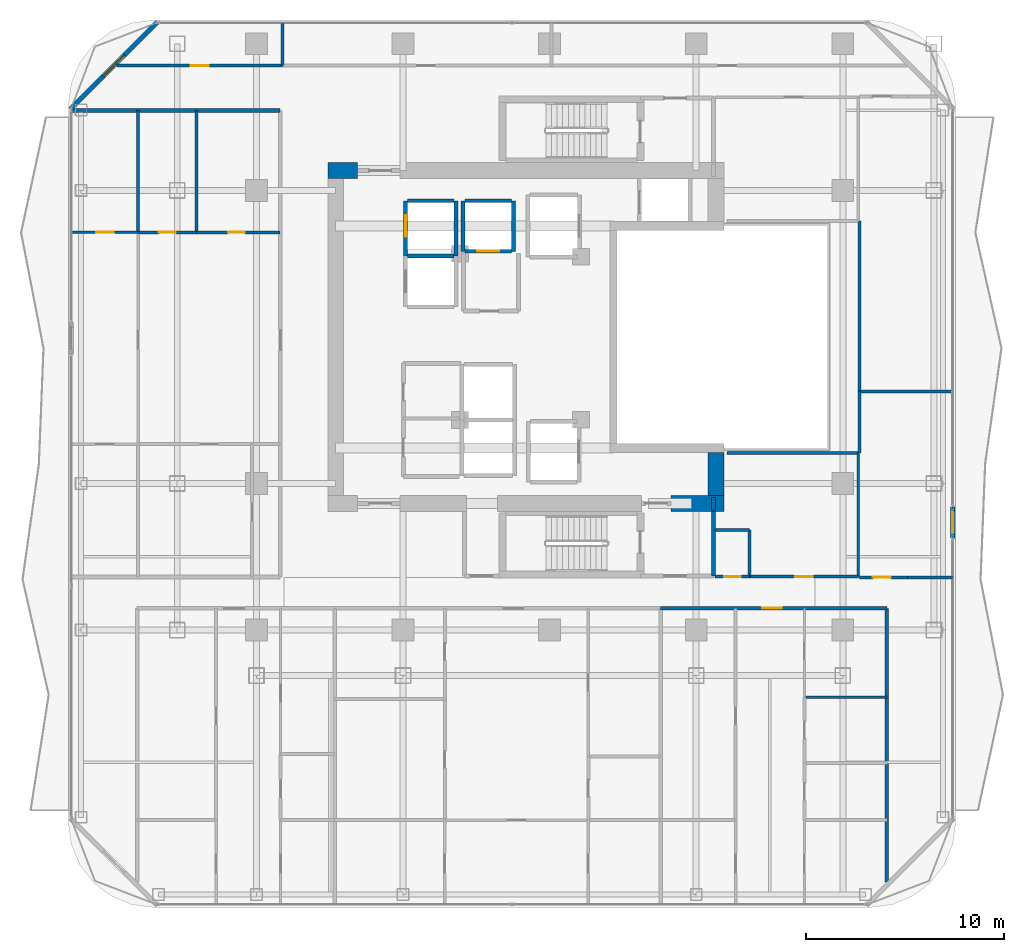
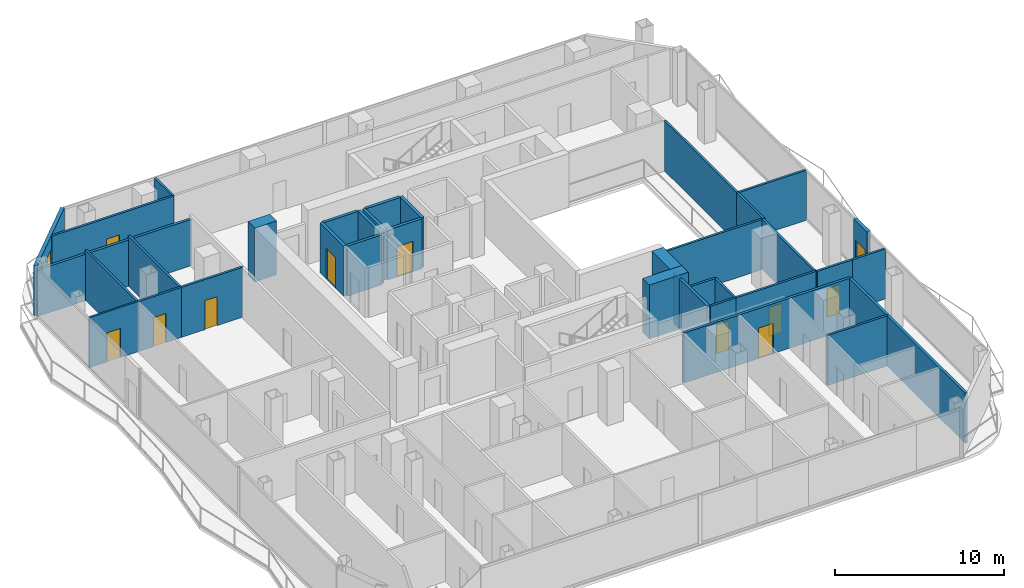
# One storey, part 19 of 23: 37 walls, 11 doors, 1 window, 12 openings.
"""IFC4 building model written with IfcOpenShell, lengths in metres."""

import ifcopenshell
import ifcopenshell.guid

model = None  # the IFC model being written
_history = None  # IfcOwnerHistory: only IFC2X3 demands one
_inside = {}  # id of a spatial element -> (the spatial element, [elements in it])
_under = {}  # id of a project, library or spatial element -> (it, [spatial elements below it])
_declared = {}  # id of a project -> (the project, [libraries it declares])
_typed = {}  # id of a type object -> (the type object, [elements of that type])
_made_of = {}  # id of a material, layer set ... -> (it, [elements and type objects made of it])


def new_model(schema):
    """Start an empty IFC model of exactly this schema.

    Asked for "IFC4X3", IfcOpenShell would pick the latest addendum, in which some entities
    have other attributes; the version numbers below select the first issue.
    IFC2X3 requires an IfcOwnerHistory on every rooted entity: one is made here for all.
    """
    global model, _history
    if schema == "IFC4X3":
        model = ifcopenshell.file(schema_version=(4, 3, 0, 0))
    else:
        model = ifcopenshell.file(schema=schema)
    _inside.clear()
    _under.clear()
    _declared.clear()
    _typed.clear()
    _made_of.clear()
    _history = None
    if model.schema == "IFC2X3":
        org = make("IfcOrganization", Name="unknown")
        user = make(
            "IfcPersonAndOrganization",
            ThePerson=make("IfcPerson", FamilyName="unknown"),
            TheOrganization=org,
        )
        app = make(
            "IfcApplication",
            ApplicationDeveloper=org,
            Version="unknown",
            ApplicationFullName="unknown",
            ApplicationIdentifier="unknown",
        )
        _history = make(
            "IfcOwnerHistory",
            OwningUser=user,
            OwningApplication=app,
            ChangeAction="ADDED",
            CreationDate=0,
        )
    return model


def make(cls, **values):
    """One entity of the class cls with the attributes given. An attribute that is None is left unset."""
    return model.create_entity(
        cls, **{name: value for name, value in values.items() if value is not None}
    )


def rooted(cls, **values):
    """An entity with a GlobalId (a new one), such as an element, a storey or a relation."""
    return make(cls, GlobalId=ifcopenshell.guid.new(), OwnerHistory=_history, **values)


def si_unit(unit_type, name, prefix=None):
    """IfcSIUnit, for example si_unit("LENGTHUNIT", "METRE", prefix="MILLI")."""
    return make("IfcSIUnit", UnitType=unit_type, Prefix=prefix, Name=name)


def assignment(units):
    """IfcUnitAssignment: the units of a project."""
    return None if units is None else make("IfcUnitAssignment", Units=units)


def point(xyz):
    """IfcCartesianPoint."""
    return None if xyz is None else make("IfcCartesianPoint", Coordinates=xyz)


def direction(xyz):
    """IfcDirection."""
    return None if xyz is None else make("IfcDirection", DirectionRatios=xyz)


def frame(location, z_axis=None, x_axis=None):
    """IfcAxis2Placement3D, a coordinate frame: its origin and axes. An axis left out is left unset."""
    return make(
        "IfcAxis2Placement3D",
        Location=point(location),
        Axis=direction(z_axis),
        RefDirection=direction(x_axis),
    )


def frame_2d(location, x_axis=None):
    """IfcAxis2Placement2D, a coordinate frame in the plane: its origin and x axis."""
    return make(
        "IfcAxis2Placement2D", Location=point(location), RefDirection=direction(x_axis)
    )


def origin():
    """The frame at (0, 0, 0) with its axes left unset."""
    return frame((0.0, 0.0, 0.0))


def place(relative_to, where):
    """IfcLocalPlacement: puts the frame where relative to a parent placement (None: the world)."""
    return make(
        "IfcLocalPlacement", PlacementRelTo=relative_to, RelativePlacement=where
    )


def context(
    kind, dimensions, precision=None, world=None, true_north=None, identifier=None
):
    """IfcGeometricRepresentationContext, for example the 3D "Model" context."""
    return make(
        "IfcGeometricRepresentationContext",
        ContextIdentifier=identifier,
        ContextType=kind,
        CoordinateSpaceDimension=dimensions,
        Precision=precision,
        WorldCoordinateSystem=world,
        TrueNorth=true_north,
    )


def subcontext(parent, identifier, kind, view, scale=None):
    """IfcGeometricRepresentationSubContext, for example "Body" below "Model"."""
    return make(
        "IfcGeometricRepresentationSubContext",
        ContextIdentifier=identifier,
        ContextType=kind,
        ParentContext=parent,
        TargetScale=scale,
        TargetView=view,
    )


def project(units=None, contexts=None):
    """IfcProject with its units and contexts."""
    return rooted(
        "IfcProject",
        Name="project",
        RepresentationContexts=contexts,
        UnitsInContext=assignment(units),
    )


def spatial(cls, under=None, at=None, **own):
    """A site, building, storey or space (cls), placed at a placement, below another one or the project."""
    s = rooted(cls, ObjectPlacement=at, **own)
    if under is not None:
        _under.setdefault(under.id(), (under, []))[1].append(s)
    return s


def profile(cls, at=None, kind="AREA", **sizes):
    """A parametric profile (cls). Its sizes go by their IFC names, for example OverallWidth=200.0."""
    return make(cls, ProfileType=kind, Position=at, **sizes)


def rectangle(**sizes):
    """IfcRectangleProfileDef."""
    return profile("IfcRectangleProfileDef", **sizes)


def extrude(swept, where, along, depth):
    """IfcExtrudedAreaSolid: the profile swept, set in the frame where, extruded along a direction by depth."""
    return make(
        "IfcExtrudedAreaSolid",
        SweptArea=swept,
        Position=where,
        ExtrudedDirection=direction(along),
        Depth=depth,
    )


def shape(context_of_items, identifier, shape_type, items):
    """IfcShapeRepresentation: the items that make up one representation, for example the "Body"."""
    return make(
        "IfcShapeRepresentation",
        ContextOfItems=context_of_items,
        RepresentationIdentifier=identifier,
        RepresentationType=shape_type,
        Items=items,
    )


def material(Name=None, Category=None):
    """IfcMaterial."""
    return make("IfcMaterial", Name=Name, Category=Category)


def layer(
    of_material, thickness, ventilated=None, Name=None, Category=None, Priority=None
):
    """IfcMaterialLayer: one layer of a wall or slab, of a material (None: an air gap)."""
    return make(
        "IfcMaterialLayer",
        Material=of_material,
        LayerThickness=thickness,
        IsVentilated=ventilated,
        Name=Name,
        Category=Category,
        Priority=Priority,
    )


def layer_set(layers, Name=None):
    """IfcMaterialLayerSet."""
    return make("IfcMaterialLayerSet", MaterialLayers=layers, LayerSetName=Name)


def made_of(thing, what):
    """Note that an element or type object is made of a material, layer set ...; save() writes the relation."""
    if what is not None:
        _made_of.setdefault(what.id(), (what, []))[1].append(thing)
    return thing


def type_object(cls, material=None, **own):
    """A type object (cls), such as IfcWallType, which elements share."""
    return made_of(rooted(cls, **own), material)


def element(
    cls,
    number,
    at=None,
    inside=None,
    cuts=None,
    type_object=None,
    material=None,
    context=None,
    identifier="Body",
    shape_type=None,
    held_by="IfcProductDefinitionShape",
    body=None,
    shapes=None,
    **own,
):
    """One element of the class cls, such as IfcWall. Its Tag is "e" and its number.

    at: its placement. inside: the storey or other place that contains it. cuts: it is an
    opening in that element (IfcRelVoidsElement). A single representation is given by context,
    identifier, shape_type and body (its items); several are given by shapes. held_by: the class
    of the entity that holds the representations. save() writes the other relations.
    """
    e = rooted(cls, Tag="e%d" % number, ObjectPlacement=at, **own)
    if body is not None:
        shapes = [shape(context, identifier, shape_type, body)]
    if shapes is not None:
        e.Representation = make(held_by, Representations=shapes)
    if inside is not None:
        _inside.setdefault(inside.id(), (inside, []))[1].append(e)
    if cuts is not None:
        rooted(
            "IfcRelVoidsElement", RelatingBuildingElement=cuts, RelatedOpeningElement=e
        )
    if type_object is not None:
        _typed.setdefault(type_object.id(), (type_object, []))[1].append(e)
    return made_of(e, material)


def fill(opening, filler):
    """IfcRelFillsElement: the door or window that sits in an opening."""
    return rooted(
        "IfcRelFillsElement",
        RelatingOpeningElement=opening,
        RelatedBuildingElement=filler,
    )


def aggregate(whole, parts):
    """IfcRelAggregates: a whole, such as a stair, and the parts it consists of."""
    return rooted("IfcRelAggregates", RelatingObject=whole, RelatedObjects=parts)


def save(model, path):
    """Write the relations noted so far, then the file.

    IfcRelAggregates (storeys below a building ...), IfcRelContainedInSpatialStructure (elements
    in a storey), IfcRelDefinesByType, IfcRelAssociatesMaterial and IfcRelDeclares: one each for
    every whole, place, type object, material and project.
    """
    for whole, parts in _under.values():
        aggregate(whole, parts)
    for where, things in _inside.values():
        rooted(
            "IfcRelContainedInSpatialStructure",
            RelatedElements=things,
            RelatingStructure=where,
        )
    for kind, things in _typed.values():
        rooted("IfcRelDefinesByType", RelatedObjects=things, RelatingType=kind)
    for what, things in _made_of.values():
        rooted("IfcRelAssociatesMaterial", RelatedObjects=things, RelatingMaterial=what)
    for by, libraries in _declared.values():
        rooted("IfcRelDeclares", RelatingContext=by, RelatedDefinitions=libraries)
    model.write(path)


model = new_model("IFC4")

# Units and contexts
model_context = context("Model", 3, precision=1e-05, world=origin(), true_north=direction((0.0, 1.0)))
body_context = subcontext(model_context, "Body", "Model", "MODEL_VIEW")
ifc_project = project(units=[si_unit("LENGTHUNIT", "METRE"), si_unit("AREAUNIT", "SQUARE_METRE"), si_unit("VOLUMEUNIT", "CUBIC_METRE"), si_unit("PLANEANGLEUNIT", "RADIAN"), si_unit("MASSUNIT", "GRAM", prefix="KILO")], contexts=[model_context])

# Site, building, storey
site_placement = place(None, origin())
site = spatial("IfcSite", under=ifc_project, at=site_placement, CompositionType="ELEMENT")
building_placement = place(site_placement, origin())
building = spatial("IfcBuilding", under=site, at=building_placement, Name="Khorvyn Point Tower", CompositionType="ELEMENT")
storey_placement = place(building_placement, frame((0.0, 0.0, 207.0)))
storey = spatial("IfcBuildingStorey", under=building, at=storey_placement, Name="L51", CompositionType="ELEMENT", Elevation=207.0)

# Wall, opening, door
ifc_material_1 = material(Name="Double acoustic gypsum on twin steel stud", Category="steel")
ifc_layer_1 = layer(ifc_material_1, 0.179931640625)
ifc_layer_set_1 = layer_set([ifc_layer_1], Name="Acoustic Double-Stud Apartment Demising Wall 180")
wall_type_1 = type_object("IfcWallType", Name="Acoustic Double-Stud Apartment Demising Wall 180", PredefinedType="PARTITIONING", material=ifc_layer_set_1)
wall_1_placement = place(storey_placement, frame((5.59912109375, -13.699951171875, 0.0), z_axis=(0.0, 0.0, 1.0), x_axis=(1.0, 0.0, 0.0)))
wall_1 = element("IfcWall", 1, at=wall_1_placement, inside=storey, type_object=wall_type_1, Name="Wall", PredefinedType="PARTITIONING", context=body_context, shape_type="SweptSolid", body=[
    extrude(rectangle(XDim=11.4208984375, YDim=0.179931640625, at=frame_2d((5.71044921875, 0.0))), origin(), (0.0, 0.0, 1.0), 3.6201171875),
])
opening_1_placement = place(wall_1_placement, frame((5.121826171875, 0.0, 0.0)))
opening_1 = element("IfcOpeningElement", 2, at=opening_1_placement, cuts=wall_1, Name="Opening ID-AP60", PredefinedType="OPENING", context=body_context, shape_type="SweptSolid", body=[
    extrude(rectangle(XDim=1.0, YDim=2.199951171875, at=frame_2d((0.5, 1.10009765625))), frame((0.0, 0.099853515625, 0.0), z_axis=(0.0, -1.0, 0.0), x_axis=(1.0, 0.0, 0.0)), (0.0, 0.0, 1.0), 0.199951171875),
])
ifc_material_2 = material(Name="Engineered hardwood fire-rated leaf", Category="wood")
door_type_1 = type_object("IfcDoorType", Name="Acoustic Solid-Core Timber Apartment Entrance Door 1000x2200", OperationType="NOTDEFINED", PredefinedType="DOOR", material=ifc_material_2)
door_1_placement = place(opening_1_placement, origin())
door_1 = element("IfcDoor", 3, at=door_1_placement, inside=storey, type_object=door_type_1, Name="Door", OperationType="SINGLE_SWING_RIGHT", OverallHeight=2.199951171875, OverallWidth=1.0, PredefinedType="DOOR", context=body_context, shape_type="SweptSolid", body=[
    extrude(rectangle(XDim=1.0, YDim=2.199951171875, at=frame_2d((0.5, 1.10009765625))), frame((0.0, 0.02490234375, 0.0), z_axis=(0.0, -1.0, 0.0), x_axis=(1.0, 0.0, 0.0)), (0.0, 0.0, 1.0), 0.050048828125),
])
fill(opening_1, door_1)

# Walls
wall_2_placement = place(storey_placement, frame((17.02001953125, -27.510009765625, 0.0), z_axis=(0.0, 0.0, 1.0), x_axis=(0.0, 1.0, 0.0)))
element("IfcWall", 4, at=wall_2_placement, inside=storey, type_object=wall_type_1, Name="Wall", PredefinedType="PARTITIONING", context=body_context, shape_type="SweptSolid", body=[
    extrude(rectangle(XDim=13.81005859375, YDim=0.179931640625, at=frame_2d((6.905029296875, 0.0))), origin(), (0.0, 0.0, 1.0), 3.6201171875),
])
wall_3_placement = place(storey_placement, frame((-24.1298828125, 11.429931640625, 0.0), z_axis=(0.0, 0.0, 1.0), x_axis=(1.0, 0.0, 0.0)))
element("IfcWall", 5, at=wall_3_placement, inside=storey, type_object=wall_type_1, Name="Wall", PredefinedType="PARTITIONING", context=body_context, shape_type="SweptSolid", body=[
    extrude(rectangle(XDim=10.52978515625, YDim=0.179931640625, at=frame_2d((5.264892578125, 0.0))), origin(), (0.0, 0.0, 1.0), 3.360107421875),
])

# Wall, opening, door
ifc_material_3 = material(Name="Pale anodised aluminium rainscreen on steel stud", Category="steel")
ifc_layer_2 = layer(ifc_material_3, 0.239990234375)
ifc_layer_set_2 = layer_set([ifc_layer_2], Name="Anodised Aluminium Insulated Corner Spandrel Wall 240")
wall_type_2 = type_object("IfcWallType", Name="Anodised Aluminium Insulated Corner Spandrel Wall 240", PredefinedType="SOLIDWALL", material=ifc_layer_set_2)
wall_4_placement = place(storey_placement, frame((20.35009765625, -8.576904296875, 0.0), z_axis=(0.0, 0.0, 1.0), x_axis=(0.0, -1.0, 0.0)))
wall_4 = element("IfcWall", 6, at=wall_4_placement, inside=storey, type_object=wall_type_2, Name="L51 East Outdoor Threshold Wall", PredefinedType="SOLIDWALL", context=body_context, shape_type="SweptSolid", body=[
    extrude(rectangle(XDim=1.580078125, YDim=0.239990234375, at=frame_2d((0.7900390625, 0.0))), origin(), (0.0, 0.0, 1.0), 3.6201171875),
])
opening_2_placement = place(wall_4_placement, frame((0.239990234375, 0.0, 0.0)))
opening_2 = element("IfcOpeningElement", 7, at=opening_2_placement, cuts=wall_4, Name="Opening BD-1122", PredefinedType="OPENING", context=body_context, shape_type="SweptSolid", body=[
    extrude(rectangle(XDim=1.10009765625, YDim=2.199951171875, at=frame_2d((0.550048828125, 1.10009765625))), frame((0.0, 0.1298828125, 0.0), z_axis=(0.0, -1.0, 0.0), x_axis=(1.0, 0.0, 0.0)), (0.0, 0.0, 1.0), 0.260009765625),
])
ifc_material_4 = material(Name="Anodised aluminium 6063-T6 and laminated Low-E glass", Category="aluminium")
door_type_2 = type_object("IfcDoorType", Name="Glazed Balcony and Terrace Threshold Door 1100x2200", OperationType="NOTDEFINED", PredefinedType="DOOR", material=ifc_material_4)
door_2_placement = place(opening_2_placement, origin())
door_2 = element("IfcDoor", 8, at=door_2_placement, inside=storey, type_object=door_type_2, Name="L51 East Glazed Balcony Outdoor Door", OperationType="SINGLE_SWING_LEFT", OverallHeight=2.199951171875, OverallWidth=1.10009765625, PredefinedType="DOOR", context=body_context, shape_type="SweptSolid", body=[
    extrude(rectangle(XDim=1.10009765625, YDim=2.199951171875, at=frame_2d((0.550048828125, 1.10009765625))), frame((0.0, 0.02490234375, 0.0), z_axis=(0.0, -1.0, 0.0), x_axis=(1.0, 0.0, 0.0)), (0.0, 0.0, 1.0), 0.050048828125),
])
fill(opening_2, door_2)

# Wall, opening, window
wall_5_placement = place(storey_placement, frame((-24.1923828125, 11.507568359375, 0.0), z_axis=(0.0, 0.0, 1.0), x_axis=(0.707106781187, 0.707106781187, 0.0)))
wall_5 = element("IfcWall", 9, at=wall_5_placement, inside=storey, type_object=wall_type_2, Name="L51 Rounded Corner Wall NW", PredefinedType="SOLIDWALL", context=body_context, shape_type="SweptSolid", body=[
    extrude(rectangle(XDim=6.200927734375, YDim=0.239990234375, at=frame_2d((3.1005859375, 0.0))), origin(), (0.0, 0.0, 1.0), 3.6201171875),
])
opening_3_placement = place(wall_5_placement, frame((2.3505859375, 0.0, 0.800048828125)))
opening_3 = element("IfcOpeningElement", 10, at=opening_3_placement, cuts=wall_5, Name="Opening WN-1518", PredefinedType="OPENING", context=body_context, shape_type="SweptSolid", body=[
    extrude(rectangle(XDim=1.5, YDim=1.85009765625, at=frame_2d((0.75, 0.925048828125))), frame((0.0, 0.1298828125, 0.0), z_axis=(0.0, -1.0, 0.0), x_axis=(1.0, 0.0, 0.0)), (0.0, 0.0, 1.0), 0.260009765625),
])
window_type = type_object("IfcWindowType", Name="Anodised Aluminium Rounded-Corner Panoramic Window 1500x1850", PartitioningType="SINGLE_PANEL", PredefinedType="WINDOW", material=ifc_material_4)
window_placement = place(opening_3_placement, origin())
window = element("IfcWindow", 11, at=window_placement, inside=storey, type_object=window_type, Name="L51 Corner Panoramic Window NW", OverallHeight=1.85009765625, OverallWidth=1.5, PartitioningType="SINGLE_PANEL", PredefinedType="WINDOW", context=body_context, shape_type="SweptSolid", body=[
    extrude(rectangle(XDim=1.5, YDim=1.85009765625, at=frame_2d((0.75, 0.925048828125))), frame((0.0, 0.030029296875, 0.0), z_axis=(0.0, -1.0, 0.0), x_axis=(1.0, 0.0, 0.0)), (0.0, 0.0, 1.0), 0.06005859375),
])
fill(opening_3, window)

# Walls
ifc_material_5 = material(Name="Concrete C40/50", Category="concrete")
ifc_layer_3 = layer(ifc_material_5, 0.199951171875)
ifc_layer_set_3 = layer_set([ifc_layer_3], Name="Concrete C40/50 Fire-Lobby Compartment Wall 200")
wall_type_3 = type_object("IfcWallType", Name="Concrete C40/50 Fire-Lobby Compartment Wall 200", PredefinedType="SOLIDWALL", material=ifc_layer_set_3)
wall_6_placement = place(storey_placement, frame((8.280029296875, -12.06005859375, 0.0), z_axis=(0.0, 0.0, 1.0), x_axis=(0.0, 1.0, 0.0)))
element("IfcWall", 12, at=wall_6_placement, inside=storey, type_object=wall_type_3, Name="Wall", PredefinedType="SOLIDWALL", context=body_context, shape_type="SweptSolid", body=[
    extrude(rectangle(XDim=3.260009765625, YDim=0.199951171875, at=frame_2d((1.6298828125, 0.0))), origin(), (0.0, 0.0, 1.0), 3.6201171875),
])
wall_7_placement = place(storey_placement, frame((8.280029296875, -8.72509765625, 0.0), z_axis=(0.0, 0.0, 1.0), x_axis=(0.0, 1.0, 0.0)))
element("IfcWall", 13, at=wall_7_placement, inside=storey, type_object=wall_type_3, Name="Wall", PredefinedType="SOLIDWALL", context=body_context, shape_type="SweptSolid", body=[
    extrude(rectangle(XDim=0.625, YDim=0.199951171875, at=frame_2d((0.3125, 0.0))), origin(), (0.0, 0.0, 1.0), 3.6201171875),
])
ifc_layer_4 = layer(ifc_material_5, 0.199951171875)
ifc_layer_set_4 = layer_set([ifc_layer_4], Name="Concrete C40/50 Structural Hoistway and Stair Shaft Wall 200")
wall_type_4 = type_object("IfcWallType", Name="Concrete C40/50 Structural Hoistway and Stair Shaft Wall 200", PredefinedType="SHEAR", material=ifc_layer_set_4)
wall_8_placement = place(storey_placement, frame((-7.175048828125, 4.074951171875, 0.0), z_axis=(0.0, 0.0, 1.0), x_axis=(1.0, 0.0, 0.0)))
element("IfcWall", 14, at=wall_8_placement, inside=storey, type_object=wall_type_4, Name="Wall", PredefinedType="SHEAR", context=body_context, shape_type="SweptSolid", body=[
    extrude(rectangle(XDim=2.35009765625, YDim=0.199951171875, at=frame_2d((1.175048828125, 0.0))), origin(), (0.0, 0.0, 1.0), 3.6201171875),
])

# Wall, opening, door
wall_9_placement = place(storey_placement, frame((-7.27490234375, 4.074951171875, 0.0), z_axis=(0.0, 0.0, 1.0), x_axis=(0.0, 1.0, 0.0)))
wall_9 = element("IfcWall", 15, at=wall_9_placement, inside=storey, type_object=wall_type_4, Name="Wall", PredefinedType="SHEAR", context=body_context, shape_type="SweptSolid", body=[
    extrude(rectangle(XDim=2.800048828125, YDim=0.199951171875, at=frame_2d((1.39990234375, 0.0))), origin(), (0.0, 0.0, 1.0), 3.6201171875),
])
opening_4_placement = place(wall_9_placement, frame((0.97509765625, 0.0, 0.0)))
opening_4 = element("IfcOpeningElement", 16, at=opening_4_placement, cuts=wall_9, Name="Opening LD-1122", PredefinedType="OPENING", context=body_context, shape_type="SweptSolid", body=[
    extrude(rectangle(XDim=1.10009765625, YDim=2.199951171875, at=frame_2d((0.550048828125, 1.10009765625))), frame((0.0, 0.10986328125, 0.0), z_axis=(0.0, -1.0, 0.0), x_axis=(1.0, 0.0, 0.0)), (0.0, 0.0, 1.0), 0.219970703125),
])
ifc_material_6 = material(Name="Stainless steel 1.4301", Category="steel")
door_type_3 = type_object("IfcDoorType", Name="Stainless Steel Automatic Sliding Lift Landing Door 1100x2200", OperationType="SLIDING_TO_LEFT", PredefinedType="DOOR", material=ifc_material_6)
door_3_placement = place(opening_4_placement, origin())
door_3 = element("IfcDoor", 17, at=door_3_placement, inside=storey, type_object=door_type_3, Name="L51 RM-02 Sliding Lift Landing Door", OperationType="SLIDING_TO_LEFT", OverallHeight=2.199951171875, OverallWidth=1.10009765625, PredefinedType="DOOR", context=body_context, shape_type="SweptSolid", body=[
    extrude(rectangle(XDim=1.10009765625, YDim=2.199951171875, at=frame_2d((0.550048828125, 1.10009765625))), frame((0.0, 0.02490234375, 0.0), z_axis=(0.0, -1.0, 0.0), x_axis=(1.0, 0.0, 0.0)), (0.0, 0.0, 1.0), 0.050048828125),
])
fill(opening_4, door_3)

# Walls
wall_10_placement = place(storey_placement, frame((-4.72509765625, 4.074951171875, 0.0), z_axis=(0.0, 0.0, 1.0), x_axis=(0.0, 1.0, 0.0)))
element("IfcWall", 18, at=wall_10_placement, inside=storey, type_object=wall_type_4, Name="Wall", PredefinedType="SHEAR", context=body_context, shape_type="SweptSolid", body=[
    extrude(rectangle(XDim=2.800048828125, YDim=0.199951171875, at=frame_2d((1.39990234375, 0.0))), origin(), (0.0, 0.0, 1.0), 3.6201171875),
])
wall_11_placement = place(storey_placement, frame((-7.175048828125, 6.875, 0.0), z_axis=(0.0, 0.0, 1.0), x_axis=(1.0, 0.0, 0.0)))
element("IfcWall", 19, at=wall_11_placement, inside=storey, type_object=wall_type_4, Name="Wall", PredefinedType="SHEAR", context=body_context, shape_type="SweptSolid", body=[
    extrude(rectangle(XDim=2.35009765625, YDim=0.199951171875, at=frame_2d((1.175048828125, 0.0))), origin(), (0.0, 0.0, 1.0), 3.6201171875),
])
for number, where, z_axis, x_axis, name in (
    (20, (-4.375, 4.324951171875, 0.0), (0.0, 0.0, 1.0), (0.0, 1.0, 0.0), "Wall"),
    (21, (-1.824951171875, 4.324951171875, 0.0), (0.0, 0.0, 1.0), (0.0, 1.0, 0.0), "Wall"),
):
    element("IfcWall", number, at=place(storey_placement, frame(where, z_axis=z_axis, x_axis=x_axis)), inside=storey, type_object=wall_type_4, Name=name, PredefinedType="SHEAR", context=body_context, shape_type="SweptSolid", body=[
        extrude(rectangle(XDim=2.550048828125, YDim=0.199951171875, at=frame_2d((1.27490234375, 0.0))), origin(), (0.0, 0.0, 1.0), 3.6201171875),
    ])

# Wall, opening, door
wall_12_placement = place(storey_placement, frame((-4.27490234375, 4.324951171875, 0.0), z_axis=(0.0, 0.0, 1.0), x_axis=(1.0, 0.0, 0.0)))
wall_12 = element("IfcWall", 22, at=wall_12_placement, inside=storey, type_object=wall_type_4, Name="Wall", PredefinedType="SHEAR", context=body_context, shape_type="SweptSolid", body=[
    extrude(rectangle(XDim=2.349853515625, YDim=0.199951171875, at=frame_2d((1.1748046875, 0.0))), origin(), (0.0, 0.0, 1.0), 3.6201171875),
])
opening_5_placement = place(wall_12_placement, frame((0.625, 0.0, 0.0)))
opening_5 = element("IfcOpeningElement", 23, at=opening_5_placement, cuts=wall_12, Name="Opening LD-1122", PredefinedType="OPENING", context=body_context, shape_type="SweptSolid", body=[
    extrude(rectangle(XDim=1.10009765625, YDim=2.199951171875, at=frame_2d((0.550048828125, 1.10009765625))), frame((0.0, 0.10986328125, 0.0), z_axis=(0.0, -1.0, 0.0), x_axis=(1.0, 0.0, 0.0)), (0.0, 0.0, 1.0), 0.219970703125),
])
door_4_placement = place(opening_5_placement, origin())
door_4 = element("IfcDoor", 24, at=door_4_placement, inside=storey, type_object=door_type_3, Name="L51 RM-03 Sliding Lift Landing Door", OperationType="SLIDING_TO_LEFT", OverallHeight=2.199951171875, OverallWidth=1.10009765625, PredefinedType="DOOR", context=body_context, shape_type="SweptSolid", body=[
    extrude(rectangle(XDim=1.10009765625, YDim=2.199951171875, at=frame_2d((0.550048828125, 1.10009765625))), frame((0.0, 0.02490234375, 0.0), z_axis=(0.0, -1.0, 0.0), x_axis=(1.0, 0.0, 0.0)), (0.0, 0.0, 1.0), 0.050048828125),
])
fill(opening_5, door_4)

# Walls
wall_13_placement = place(storey_placement, frame((-4.27490234375, 6.875, 0.0), z_axis=(0.0, 0.0, 1.0), x_axis=(1.0, 0.0, 0.0)))
element("IfcWall", 25, at=wall_13_placement, inside=storey, type_object=wall_type_4, Name="Wall", PredefinedType="SHEAR", context=body_context, shape_type="SweptSolid", body=[
    extrude(rectangle(XDim=2.349853515625, YDim=0.199951171875, at=frame_2d((1.1748046875, 0.0))), origin(), (0.0, 0.0, 1.0), 3.6201171875),
])
ifc_material_7 = material(Name="Concrete C45/55", Category="concrete")
ifc_layer_5 = layer(ifc_material_7, 0.800048828125)
ifc_layer_set_5 = layer_set([ifc_layer_5], Name="Concrete C45/55 Core Shear Wall 800")
wall_type_5 = type_object("IfcWallType", Name="Concrete C45/55 Core Shear Wall 800", PredefinedType="SHEAR", material=ifc_layer_set_5)
wall_14_placement = place(storey_placement, frame((6.1201171875, -8.39990234375, 0.0), z_axis=(0.0, 0.0, 1.0), x_axis=(1.0, 0.0, 0.0)))
element("IfcWall", 26, at=wall_14_placement, inside=storey, type_object=wall_type_5, Name="Wall", PredefinedType="SHEAR", context=body_context, shape_type="SweptSolid", body=[
    extrude(rectangle(XDim=2.679931640625, YDim=0.800048828125, at=frame_2d((1.33984375, 0.0))), origin(), (0.0, 0.0, 1.0), 3.89990234375),
])
wall_15_placement = place(storey_placement, frame((-11.199951171875, 8.39990234375, 0.0), z_axis=(0.0, 0.0, 1.0), x_axis=(1.0, 0.0, 0.0)))
element("IfcWall", 27, at=wall_15_placement, inside=storey, type_object=wall_type_5, Name="Wall", PredefinedType="SHEAR", context=body_context, shape_type="SweptSolid", body=[
    extrude(rectangle(XDim=1.5, YDim=0.800048828125, at=frame_2d((0.75, 0.0))), origin(), (0.0, 0.0, 1.0), 3.89990234375),
])
wall_16_placement = place(storey_placement, frame((8.39990234375, -8.0, 0.0), z_axis=(0.0, 0.0, 1.0), x_axis=(0.0, 1.0, 0.0)))
element("IfcWall", 28, at=wall_16_placement, inside=storey, type_object=wall_type_5, Name="Wall", PredefinedType="SHEAR", context=body_context, shape_type="SweptSolid", body=[
    extrude(rectangle(XDim=2.175048828125, YDim=0.800048828125, at=frame_2d((1.08740234375, 0.0))), origin(), (0.0, 0.0, 1.0), 3.89990234375),
])

# Wall, opening, door
ifc_material_8 = material(Name="Gypsum plasterboard on steel stud", Category="steel")
ifc_layer_6 = layer(ifc_material_8, 0.1201171875)
ifc_layer_set_6 = layer_set([ifc_layer_6], Name="Gypsum Acoustic Stud Room Partition Wall 120")
wall_type_6 = type_object("IfcWallType", Name="Gypsum Acoustic Stud Room Partition Wall 120", PredefinedType="PARTITIONING", material=ifc_layer_set_6)
wall_17_placement = place(storey_placement, frame((-24.1298828125, 5.281982421875, 0.0), z_axis=(0.0, 0.0, 1.0), x_axis=(1.0, 0.0, 0.0)))
wall_17 = element("IfcWall", 29, at=wall_17_placement, inside=storey, type_object=wall_type_6, Name="Wall", PredefinedType="PARTITIONING", context=body_context, shape_type="SweptSolid", body=[
    extrude(rectangle(XDim=3.36083984375, YDim=0.1201171875, at=frame_2d((1.680419921875, 0.0))), origin(), (0.0, 0.0, 1.0), 3.6201171875),
])
opening_6_placement = place(wall_17_placement, frame((1.23046875, 0.0, 0.0)))
opening_6 = element("IfcOpeningElement", 30, at=opening_6_placement, cuts=wall_17, Name="Opening ID-RM90", PredefinedType="OPENING", context=body_context, shape_type="SweptSolid", body=[
    extrude(rectangle(XDim=0.89990234375, YDim=2.10009765625, at=frame_2d((0.449951171875, 1.050048828125))), frame((0.0, 0.070068359375, 0.0), z_axis=(0.0, -1.0, 0.0), x_axis=(1.0, 0.0, 0.0)), (0.0, 0.0, 1.0), 0.14013671875),
])
ifc_material_9 = material(Name="Engineered oak veneer timber", Category="wood")
door_type_4 = type_object("IfcDoorType", Name="Flush Engineered Timber Room Door 900x2100", OperationType="NOTDEFINED", PredefinedType="DOOR", material=ifc_material_9)
door_5_placement = place(opening_6_placement, origin())
door_5 = element("IfcDoor", 31, at=door_5_placement, inside=storey, type_object=door_type_4, Name="Door", OperationType="SINGLE_SWING_RIGHT", OverallHeight=2.10009765625, OverallWidth=0.89990234375, PredefinedType="DOOR", context=body_context, shape_type="SweptSolid", body=[
    extrude(rectangle(XDim=0.89990234375, YDim=2.10009765625, at=frame_2d((0.449951171875, 1.050048828125))), frame((0.0, 0.02490234375, 0.0), z_axis=(0.0, -1.0, 0.0), x_axis=(1.0, 0.0, 0.0)), (0.0, 0.0, 1.0), 0.050048828125),
])
fill(opening_6, door_5)

ifc_material_10 = material(Name="Moisture-resistant gypsum and cement board", Category="gypsum")
ifc_layer_7 = layer(ifc_material_10, 0.14990234375)
ifc_layer_set_7 = layer_set([ifc_layer_7], Name="Moisture-Resistant Wet-Room Partition Wall 150")
wall_type_7 = type_object("IfcWallType", Name="Moisture-Resistant Wet-Room Partition Wall 150", PredefinedType="PARTITIONING", material=ifc_layer_set_7)
wall_18_placement = place(storey_placement, frame((8.360107421875, -12.10009765625, 0.0), z_axis=(0.0, 0.0, 1.0), x_axis=(1.0, 0.0, 0.0)))
wall_18 = element("IfcWall", 32, at=wall_18_placement, inside=storey, type_object=wall_type_7, Name="Wall", PredefinedType="PARTITIONING", context=body_context, shape_type="SweptSolid", body=[
    extrude(rectangle(XDim=1.739990234375, YDim=0.14990234375, at=frame_2d((0.8701171875, 0.0))), origin(), (0.0, 0.0, 1.0), 3.6201171875),
])
opening_7_placement = place(wall_18_placement, frame((0.445068359375, 0.0, 0.0)))
opening_7 = element("IfcOpeningElement", 33, at=opening_7_placement, cuts=wall_18, Name="Opening ID-WC85", PredefinedType="OPENING", context=body_context, shape_type="SweptSolid", body=[
    extrude(rectangle(XDim=0.85009765625, YDim=2.10009765625, at=frame_2d((0.425048828125, 1.050048828125))), frame((0.0, 0.0849609375, 0.0), z_axis=(0.0, -1.0, 0.0), x_axis=(1.0, 0.0, 0.0)), (0.0, 0.0, 1.0), 0.169921875),
])
ifc_material_11 = material(Name="High-pressure laminate on moisture-resistant core", Category="wood")
door_type_5 = type_object("IfcDoorType", Name="Moisture-Resistant Accessible Washroom Door 850x2100", OperationType="NOTDEFINED", PredefinedType="DOOR", material=ifc_material_11)
door_6_placement = place(opening_7_placement, origin())
door_6 = element("IfcDoor", 34, at=door_6_placement, inside=storey, type_object=door_type_5, Name="Door", OperationType="SINGLE_SWING_RIGHT", OverallHeight=2.10009765625, OverallWidth=0.85009765625, PredefinedType="DOOR", context=body_context, shape_type="SweptSolid", body=[
    extrude(rectangle(XDim=0.85009765625, YDim=2.10009765625, at=frame_2d((0.425048828125, 1.050048828125))), frame((0.0, 0.02490234375, 0.0), z_axis=(0.0, -1.0, 0.0), x_axis=(1.0, 0.0, 0.0)), (0.0, 0.0, 1.0), 0.050048828125),
])
fill(opening_7, door_6)

wall_19_placement = place(storey_placement, frame((10.10009765625, -12.10009765625, 0.0), z_axis=(0.0, 0.0, 1.0), x_axis=(1.0, 0.0, 0.0)))
wall_19 = element("IfcWall", 35, at=wall_19_placement, inside=storey, type_object=wall_type_7, Name="Wall", PredefinedType="PARTITIONING", context=body_context, shape_type="SweptSolid", body=[
    extrude(rectangle(XDim=5.47998046875, YDim=0.14990234375, at=frame_2d((2.739990234375, 0.0))), origin(), (0.0, 0.0, 1.0), 3.6201171875),
])
opening_8_placement = place(wall_19_placement, frame((2.2900390625, 0.0, 0.0)))
opening_8 = element("IfcOpeningElement", 36, at=opening_8_placement, cuts=wall_19, Name="Opening ID-RM90", PredefinedType="OPENING", context=body_context, shape_type="SweptSolid", body=[
    extrude(rectangle(XDim=0.89990234375, YDim=2.10009765625, at=frame_2d((0.449951171875, 1.050048828125))), frame((0.0, 0.0849609375, 0.0), z_axis=(0.0, -1.0, 0.0), x_axis=(1.0, 0.0, 0.0)), (0.0, 0.0, 1.0), 0.169921875),
])
door_7_placement = place(opening_8_placement, origin())
door_7 = element("IfcDoor", 37, at=door_7_placement, inside=storey, type_object=door_type_4, Name="Door", OperationType="SINGLE_SWING_LEFT", OverallHeight=2.10009765625, OverallWidth=0.89990234375, PredefinedType="DOOR", context=body_context, shape_type="SweptSolid", body=[
    extrude(rectangle(XDim=0.89990234375, YDim=2.10009765625, at=frame_2d((0.449951171875, 1.050048828125))), frame((0.0, 0.02490234375, 0.0), z_axis=(0.0, -1.0, 0.0), x_axis=(1.0, 0.0, 0.0)), (0.0, 0.0, 1.0), 0.050048828125),
])
fill(opening_8, door_7)

wall_20_placement = place(storey_placement, frame((-21.830078125, 13.699951171875, 0.0), z_axis=(0.0, 0.0, 1.0), x_axis=(1.0, 0.0, 0.0)))
wall_20 = element("IfcWall", 38, at=wall_20_placement, inside=storey, type_object=wall_type_7, Name="Wall", PredefinedType="PARTITIONING", context=body_context, shape_type="SweptSolid", body=[
    extrude(rectangle(XDim=8.34716796875, YDim=0.14990234375, at=frame_2d((4.173583984375, 0.0))), origin(), (0.0, 0.0, 1.0), 3.6201171875),
])
opening_9_placement = place(wall_20_placement, frame((3.723388671875, 0.0, 0.0)))
opening_9 = element("IfcOpeningElement", 39, at=opening_9_placement, cuts=wall_20, Name="Opening ID-RM90", PredefinedType="OPENING", context=body_context, shape_type="SweptSolid", body=[
    extrude(rectangle(XDim=0.89990234375, YDim=2.10009765625, at=frame_2d((0.449951171875, 1.050048828125))), frame((0.0, 0.0849609375, 0.0), z_axis=(0.0, -1.0, 0.0), x_axis=(1.0, 0.0, 0.0)), (0.0, 0.0, 1.0), 0.169921875),
])
door_8_placement = place(opening_9_placement, origin())
door_8 = element("IfcDoor", 40, at=door_8_placement, inside=storey, type_object=door_type_4, Name="Door", OperationType="SINGLE_SWING_LEFT", OverallHeight=2.10009765625, OverallWidth=0.89990234375, PredefinedType="DOOR", context=body_context, shape_type="SweptSolid", body=[
    extrude(rectangle(XDim=0.89990234375, YDim=2.10009765625, at=frame_2d((0.449951171875, 1.050048828125))), frame((0.0, 0.02490234375, 0.0), z_axis=(0.0, -1.0, 0.0), x_axis=(1.0, 0.0, 0.0)), (0.0, 0.0, 1.0), 0.050048828125),
])
fill(opening_9, door_8)

wall_21_placement = place(storey_placement, frame((-20.76904296875, 5.281982421875, 0.0), z_axis=(0.0, 0.0, 1.0), x_axis=(1.0, 0.0, 0.0)))
wall_21 = element("IfcWall", 41, at=wall_21_placement, inside=storey, type_object=wall_type_7, Name="Wall", PredefinedType="PARTITIONING", context=body_context, shape_type="SweptSolid", body=[
    extrude(rectangle(XDim=2.93896484375, YDim=0.14990234375, at=frame_2d((1.469482421875, 0.0))), origin(), (0.0, 0.0, 1.0), 3.6201171875),
])
opening_10_placement = place(wall_21_placement, frame((1.04443359375, 0.0, 0.0)))
opening_10 = element("IfcOpeningElement", 42, at=opening_10_placement, cuts=wall_21, Name="Opening ID-WC85", PredefinedType="OPENING", context=body_context, shape_type="SweptSolid", body=[
    extrude(rectangle(XDim=0.85009765625, YDim=2.10009765625, at=frame_2d((0.425048828125, 1.050048828125))), frame((0.0, 0.0849609375, 0.0), z_axis=(0.0, -1.0, 0.0), x_axis=(1.0, 0.0, 0.0)), (0.0, 0.0, 1.0), 0.169921875),
])
door_9_placement = place(opening_10_placement, origin())
door_9 = element("IfcDoor", 43, at=door_9_placement, inside=storey, type_object=door_type_5, Name="Door", OperationType="SINGLE_SWING_RIGHT", OverallHeight=2.10009765625, OverallWidth=0.85009765625, PredefinedType="DOOR", context=body_context, shape_type="SweptSolid", body=[
    extrude(rectangle(XDim=0.85009765625, YDim=2.10009765625, at=frame_2d((0.425048828125, 1.050048828125))), frame((0.0, 0.02490234375, 0.0), z_axis=(0.0, -1.0, 0.0), x_axis=(1.0, 0.0, 0.0)), (0.0, 0.0, 1.0), 0.050048828125),
])
fill(opening_10, door_9)

wall_22_placement = place(storey_placement, frame((-17.830078125, 5.281982421875, 0.0), z_axis=(0.0, 0.0, 1.0), x_axis=(1.0, 0.0, 0.0)))
wall_22 = element("IfcWall", 44, at=wall_22_placement, inside=storey, type_object=wall_type_7, Name="Wall", PredefinedType="PARTITIONING", context=body_context, shape_type="SweptSolid", body=[
    extrude(rectangle(XDim=4.22998046875, YDim=0.14990234375, at=frame_2d((2.114990234375, 0.0))), origin(), (0.0, 0.0, 1.0), 3.6201171875),
])
opening_11_placement = place(wall_22_placement, frame((1.60009765625, 0.0, 0.0)))
opening_11 = element("IfcOpeningElement", 45, at=opening_11_placement, cuts=wall_22, Name="Opening ID-WC85", PredefinedType="OPENING", context=body_context, shape_type="SweptSolid", body=[
    extrude(rectangle(XDim=0.85009765625, YDim=2.10009765625, at=frame_2d((0.425048828125, 1.050048828125))), frame((0.0, 0.0849609375, 0.0), z_axis=(0.0, -1.0, 0.0), x_axis=(1.0, 0.0, 0.0)), (0.0, 0.0, 1.0), 0.169921875),
])
door_10_placement = place(opening_11_placement, origin())
door_10 = element("IfcDoor", 46, at=door_10_placement, inside=storey, type_object=door_type_5, Name="Door", OperationType="SINGLE_SWING_LEFT", OverallHeight=2.10009765625, OverallWidth=0.85009765625, PredefinedType="DOOR", context=body_context, shape_type="SweptSolid", body=[
    extrude(rectangle(XDim=0.85009765625, YDim=2.10009765625, at=frame_2d((0.425048828125, 1.050048828125))), frame((0.0, 0.02490234375, 0.0), z_axis=(0.0, -1.0, 0.0), x_axis=(1.0, 0.0, 0.0)), (0.0, 0.0, 1.0), 0.050048828125),
])
fill(opening_11, door_10)

wall_23_placement = place(storey_placement, frame((15.64990234375, -12.139892578125, 0.0), z_axis=(0.0, 0.0, 1.0), x_axis=(1.0, 0.0, 0.0)))
wall_23 = element("IfcWall", 47, at=wall_23_placement, inside=storey, type_object=wall_type_7, Name="Wall", PredefinedType="PARTITIONING", context=body_context, shape_type="SweptSolid", body=[
    extrude(rectangle(XDim=2.420166015625, YDim=0.14990234375, at=frame_2d((1.2099609375, 0.0))), origin(), (0.0, 0.0, 1.0), 3.6201171875),
])
opening_12_placement = place(wall_23_placement, frame((0.67431640625, 0.0, 0.0)))
opening_12 = element("IfcOpeningElement", 48, at=opening_12_placement, cuts=wall_23, Name="Opening ID-RM90", PredefinedType="OPENING", context=body_context, shape_type="SweptSolid", body=[
    extrude(rectangle(XDim=0.89990234375, YDim=2.10009765625, at=frame_2d((0.449951171875, 1.050048828125))), frame((0.0, 0.0849609375, 0.0), z_axis=(0.0, -1.0, 0.0), x_axis=(1.0, 0.0, 0.0)), (0.0, 0.0, 1.0), 0.169921875),
])
door_11_placement = place(opening_12_placement, origin())
door_11 = element("IfcDoor", 49, at=door_11_placement, inside=storey, type_object=door_type_4, Name="Door", OperationType="SINGLE_SWING_LEFT", OverallHeight=2.10009765625, OverallWidth=0.89990234375, PredefinedType="DOOR", context=body_context, shape_type="SweptSolid", body=[
    extrude(rectangle(XDim=0.89990234375, YDim=2.10009765625, at=frame_2d((0.449951171875, 1.050048828125))), frame((0.0, 0.02490234375, 0.0), z_axis=(0.0, -1.0, 0.0), x_axis=(1.0, 0.0, 0.0)), (0.0, 0.0, 1.0), 0.050048828125),
])
fill(opening_12, door_11)

# Walls
wall_24_placement = place(storey_placement, frame((8.360107421875, -9.75, 0.0), z_axis=(0.0, 0.0, 1.0), x_axis=(1.0, 0.0, 0.0)))
element("IfcWall", 50, at=wall_24_placement, inside=storey, type_object=wall_type_7, Name="Wall", PredefinedType="PARTITIONING", context=body_context, shape_type="SweptSolid", body=[
    extrude(rectangle(XDim=1.739990234375, YDim=0.14990234375, at=frame_2d((0.8701171875, 0.0))), origin(), (0.0, 0.0, 1.0), 3.6201171875),
])
wall_25_placement = place(storey_placement, frame((10.10009765625, -12.10009765625, 0.0), z_axis=(0.0, 0.0, 1.0), x_axis=(0.0, 1.0, 0.0)))
element("IfcWall", 51, at=wall_25_placement, inside=storey, type_object=wall_type_7, Name="Wall", PredefinedType="PARTITIONING", context=body_context, shape_type="SweptSolid", body=[
    extrude(rectangle(XDim=2.35009765625, YDim=0.14990234375, at=frame_2d((1.175048828125, 0.0))), origin(), (0.0, 0.0, 1.0), 3.6201171875),
])
wall_26_placement = place(storey_placement, frame((15.580078125, -12.10009765625, 0.0), z_axis=(0.0, 0.0, 1.0), x_axis=(0.0, 1.0, 0.0)))
element("IfcWall", 52, at=wall_26_placement, inside=storey, type_object=wall_type_7, Name="Wall", PredefinedType="PARTITIONING", context=body_context, shape_type="SweptSolid", body=[
    extrude(rectangle(XDim=6.25, YDim=0.14990234375, at=frame_2d((3.125, 0.0))), origin(), (0.0, 0.0, 1.0), 3.6201171875),
])
wall_27_placement = place(storey_placement, frame((8.9599609375, -5.85009765625, 0.0), z_axis=(0.0, 0.0, 1.0), x_axis=(1.0, 0.0, 0.0)))
element("IfcWall", 53, at=wall_27_placement, inside=storey, type_object=wall_type_7, Name="Wall", PredefinedType="PARTITIONING", context=body_context, shape_type="SweptSolid", body=[
    extrude(rectangle(XDim=6.6201171875, YDim=0.14990234375, at=frame_2d((3.31005859375, 0.0))), origin(), (0.0, 0.0, 1.0), 3.6201171875),
])
wall_28_placement = place(storey_placement, frame((-13.48291015625, 13.699951171875, 0.0), z_axis=(0.0, 0.0, 1.0), x_axis=(0.0, 1.0, 0.0)))
element("IfcWall", 54, at=wall_28_placement, inside=storey, type_object=wall_type_7, Name="Wall", PredefinedType="PARTITIONING", context=body_context, shape_type="SweptSolid", body=[
    extrude(rectangle(XDim=2.130126953125, YDim=0.14990234375, at=frame_2d((1.06494140625, 0.0))), origin(), (0.0, 0.0, 1.0), 3.6201171875),
])
wall_29_placement = place(storey_placement, frame((12.865966796875, -18.18994140625, 0.0), z_axis=(0.0, 0.0, 1.0), x_axis=(1.0, 0.0, 0.0)))
element("IfcWall", 55, at=wall_29_placement, inside=storey, type_object=wall_type_7, Name="Wall", PredefinedType="PARTITIONING", context=body_context, shape_type="SweptSolid", body=[
    extrude(rectangle(XDim=4.154052734375, YDim=0.14990234375, at=frame_2d((2.0771484375, 0.0))), origin(), (0.0, 0.0, 1.0), 3.6201171875),
])
for number, where, z_axis, x_axis, name in (
    (56, (-17.830078125, 5.281982421875, 0.0), (0.0, 0.0, 1.0), (0.0, 1.0, 0.0), "Wall"),
    (57, (-20.76904296875, 5.281982421875, 0.0), (0.0, 0.0, 1.0), (0.0, 1.0, 0.0), "Wall"),
):
    element("IfcWall", number, at=place(storey_placement, frame(where, z_axis=z_axis, x_axis=x_axis)), inside=storey, type_object=wall_type_7, Name=name, PredefinedType="PARTITIONING", context=body_context, shape_type="SweptSolid", body=[
        extrude(rectangle(XDim=6.14794921875, YDim=0.14990234375, at=frame_2d((3.073974609375, 0.0))), origin(), (0.0, 0.0, 1.0), 3.6201171875),
    ])
wall_30_placement = place(storey_placement, frame((15.64990234375, -5.85009765625, 0.0), z_axis=(0.0, 0.0, 1.0), x_axis=(0.0, 1.0, 0.0)))
element("IfcWall", 58, at=wall_30_placement, inside=storey, type_object=wall_type_7, Name="Wall", PredefinedType="PARTITIONING", context=body_context, shape_type="SweptSolid", body=[
    extrude(rectangle(XDim=3.10009765625, YDim=0.14990234375, at=frame_2d((1.550048828125, 0.0))), origin(), (0.0, 0.0, 1.0), 3.6201171875),
])
wall_31_placement = place(storey_placement, frame((15.64990234375, -2.75, 0.0), z_axis=(0.0, 0.0, 1.0), x_axis=(0.0, 1.0, 0.0)))
element("IfcWall", 59, at=wall_31_placement, inside=storey, type_object=wall_type_7, Name="Wall", PredefinedType="PARTITIONING", context=body_context, shape_type="SweptSolid", body=[
    extrude(rectangle(XDim=8.60009765625, YDim=0.14990234375, at=frame_2d((4.300048828125, 0.0))), origin(), (0.0, 0.0, 1.0), 3.6201171875),
])
wall_32_placement = place(storey_placement, frame((15.64990234375, -2.75, 0.0), z_axis=(0.0, 0.0, 1.0), x_axis=(1.0, 0.0, 0.0)))
element("IfcWall", 60, at=wall_32_placement, inside=storey, type_object=wall_type_7, Name="Wall", PredefinedType="PARTITIONING", context=body_context, shape_type="SweptSolid", body=[
    extrude(rectangle(XDim=4.68017578125, YDim=0.14990234375, at=frame_2d((2.340087890625, 0.0))), origin(), (0.0, 0.0, 1.0), 3.6201171875),
])
wall_33_placement = place(storey_placement, frame((18.070068359375, -12.139892578125, 0.0), z_axis=(0.0, 0.0, 1.0), x_axis=(1.0, 0.0, 0.0)))
element("IfcWall", 61, at=wall_33_placement, inside=storey, type_object=wall_type_7, Name="Wall", PredefinedType="PARTITIONING", context=body_context, shape_type="SweptSolid", body=[
    extrude(rectangle(XDim=2.260009765625, YDim=0.14990234375, at=frame_2d((1.1298828125, 0.0))), origin(), (0.0, 0.0, 1.0), 3.6201171875),
])

save(model, "model.ifc")
